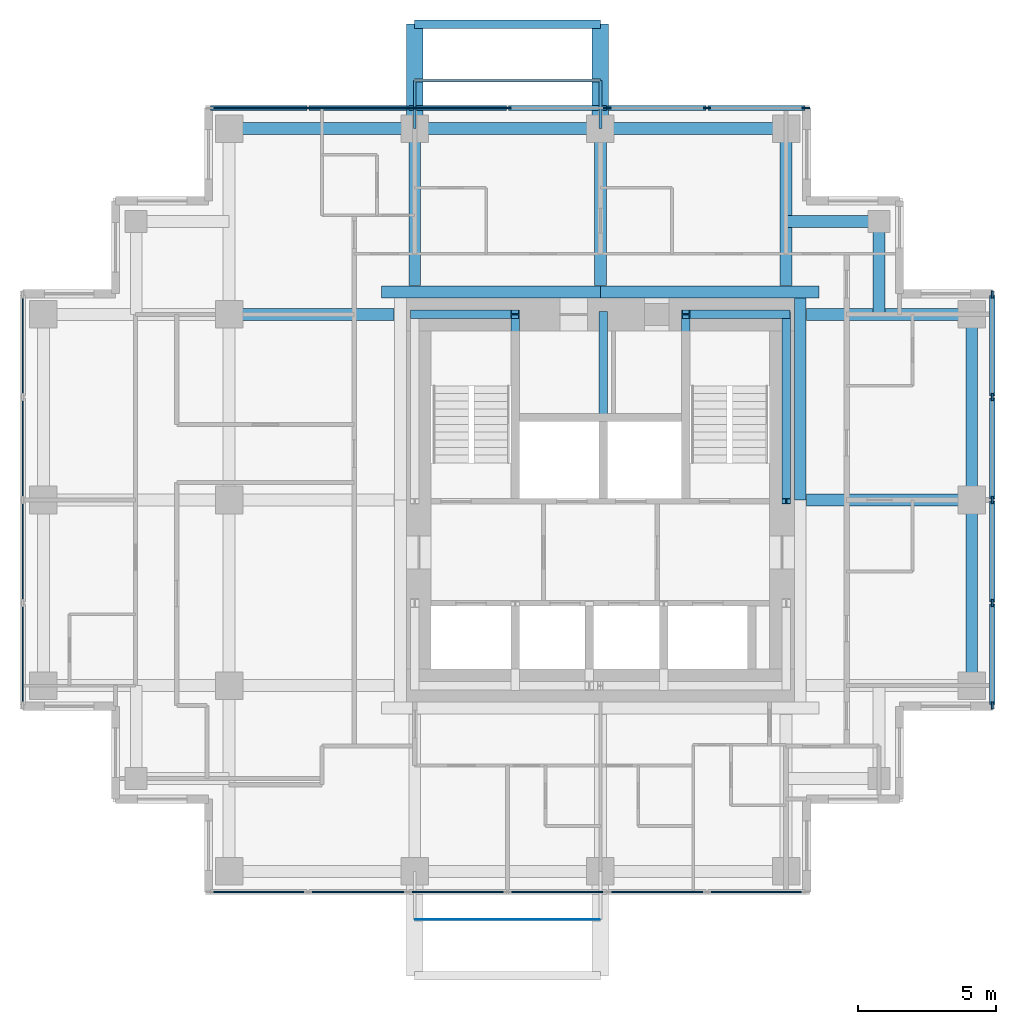
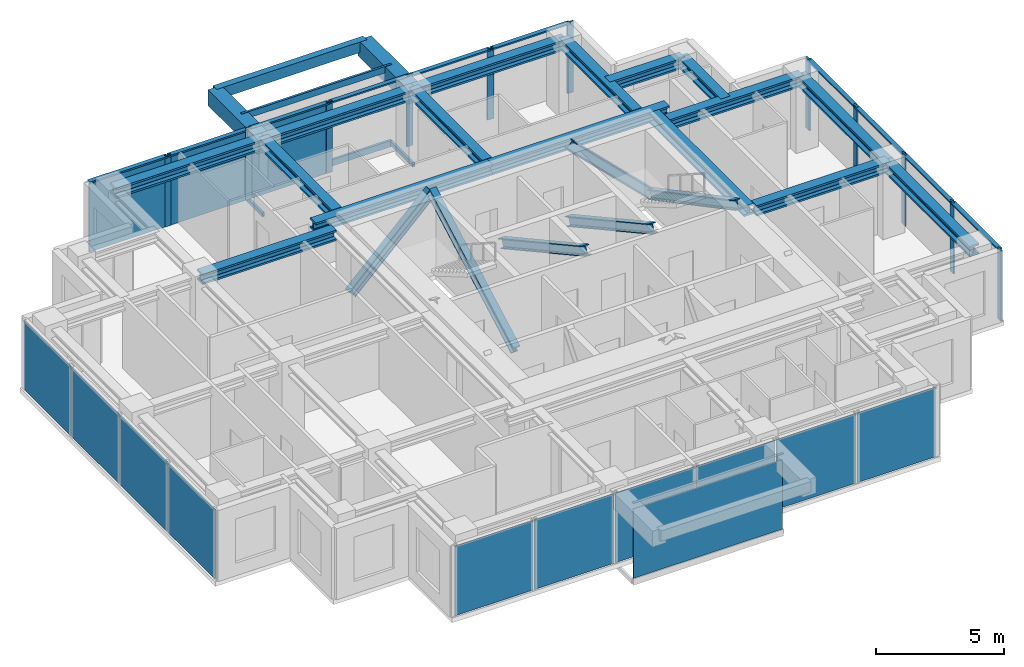
# One storey, part 2 of 7: 31 members, 19 beams, 14 plates, 4 elements without a shape of their own.
"""IFC4 building model written with IfcOpenShell, lengths in metres."""

from ifc_helpers import new_model, si_unit, direction, frame, origin, origin_2d, place, context, subcontext, project, spatial, rectangle, hollow_rectangle, i_section, extrude, material, layer, layer_set, material_profile, profile_set, type_object, element, aggregate, save


model = new_model("IFC4")

# Units and contexts
model_context = context("Model", 3, precision=1e-05, world=origin(), true_north=direction((0.0, 1.0)))
body_context = subcontext(model_context, "Body", "Model", "MODEL_VIEW")
ifc_project = project(units=[si_unit("LENGTHUNIT", "METRE"), si_unit("AREAUNIT", "SQUARE_METRE"), si_unit("VOLUMEUNIT", "CUBIC_METRE"), si_unit("PLANEANGLEUNIT", "RADIAN"), si_unit("MASSUNIT", "GRAM", prefix="KILO")], contexts=[model_context])

# Site, building, storey
site_placement = place(None, origin())
site = spatial("IfcSite", under=ifc_project, at=site_placement, CompositionType="ELEMENT")
building_placement = place(site_placement, origin())
building = spatial("IfcBuilding", under=site, at=building_placement, Name="Nyansa Garden Tower", CompositionType="ELEMENT")
storey_placement = place(building_placement, frame((0.0, 0.0, 236.699951171875)))
storey = spatial("IfcBuildingStorey", under=building, at=storey_placement, Name="L64", CompositionType="ELEMENT", Elevation=236.699951171875)

# Beams
ifc_material_1 = material(Name="Concrete C70/85", Category="concrete")
ifc_material_profile_1 = material_profile(ifc_material_1, rectangle(XDim=0.60009765625, YDim=0.75, at=origin_2d()), Name="RC 600x750")
ifc_profile_set_1 = profile_set([ifc_material_profile_1], Name="Concrete C70/85")
beam_type_1 = type_object("IfcBeamType", Name="Balcony cantilever beam CB1 RC 600x750", PredefinedType="BEAM", material=ifc_profile_set_1)
for number, where, z_axis, x_axis, name in (
    (1, (13.5, 33.75, 2.985107421875), (0.0, 1.0, 0.0), (-1.0, 0.0, 0.0), "Balcony cantilever beam L65"),
    (2, (20.25, 33.75, 2.985107421875), (0.0, 1.0, 0.0), (-1.0, 0.0, 0.0), "Balcony cantilever beam L65"),
):
    element("IfcBeam", number, at=place(storey_placement, frame(where, z_axis=z_axis, x_axis=x_axis)), inside=storey, type_object=beam_type_1, Name=name, PredefinedType="BEAM", context=body_context, shape_type="SweptSolid", body=[
        extrude(rectangle(XDim=0.60009765625, YDim=0.75, at=origin_2d()), origin(), (0.0, 0.0, 1.0), 3.800048828125),
    ])
ifc_material_2 = material(Name="Concrete C70/85", Category="concrete")
ifc_material_profile_2 = material_profile(ifc_material_2, rectangle(XDim=0.300048828125, YDim=0.5, at=origin_2d()), Name="RC 300x500")
ifc_profile_set_2 = profile_set([ifc_material_profile_2], Name="Concrete C70/85")
beam_type_2 = type_object("IfcBeamType", Name="Balcony edge beam BE1 RC 300x500", PredefinedType="BEAM", material=ifc_profile_set_2)
beam_1_placement = place(storey_placement, frame((13.5, 37.550048828125, 3.110107421875), z_axis=(1.0, 0.0, 0.0), x_axis=(0.0, 1.0, 0.0)))
element("IfcBeam", 3, at=beam_1_placement, inside=storey, type_object=beam_type_2, Name="Balcony edge beam L65", PredefinedType="BEAM", context=body_context, shape_type="SweptSolid", body=[
    extrude(rectangle(XDim=0.300048828125, YDim=0.5, at=origin_2d()), origin(), (0.0, 0.0, 1.0), 6.75),
])

# Curtain wall, members
ifc_material_3 = material(Name="Black anodised aluminium, dark tinted double glazing", Category="aluminium")
curtain_wall_type = type_object("IfcCurtainWallType", Name="Inner skin curtain wall ISW-D", PredefinedType="USERDEFINED", material=ifc_material_3)
curtain_wall_1_placement = place(storey_placement, origin())
curtain_wall_1 = element("IfcCurtainWall", 4, at=curtain_wall_1_placement, inside=storey, type_object=curtain_wall_type, Name="Inner skin curtain wall L64 E", ObjectType="UNITISED CURTAIN WALL", PredefinedType="USERDEFINED")
ifc_material_4 = material(Name="Black anodised aluminium", Category="aluminium")
ifc_material_profile_3 = material_profile(ifc_material_4, rectangle(XDim=0.070068359375, YDim=0.27490234375, at=origin_2d()), Name="Mullion 275x70")
ifc_profile_set_3 = profile_set([ifc_material_profile_3], Name="Black anodised aluminium")
member_type_1 = type_object("IfcMemberType", Name="Mullion ISW-D 275x70", PredefinedType="MULLION", material=ifc_profile_set_3)
member_1_placement = place(storey_placement, frame((34.5, 12.784912109375, 0.0), z_axis=(0.0, 0.0, 1.0), x_axis=(-1.0, 0.0, 0.0)))
member_1 = element("IfcMember", 5, at=member_1_placement, type_object=member_type_1, Name="ISW-D mullion 1", PredefinedType="MULLION", context=body_context, shape_type="SweptSolid", body=[
    extrude(rectangle(XDim=0.070068359375, YDim=0.27490234375, at=origin_2d()), origin(), (0.0, 0.0, 1.0), 3.375),
])
member_2_placement = place(storey_placement, frame((34.5, 16.5, 0.0), z_axis=(0.0, 0.0, 1.0), x_axis=(-1.0, 0.0, 0.0)))
member_2 = element("IfcMember", 6, at=member_2_placement, type_object=member_type_1, Name="ISW-D mullion 2", PredefinedType="MULLION", context=body_context, shape_type="SweptSolid", body=[
    extrude(rectangle(XDim=0.070068359375, YDim=0.27490234375, at=origin_2d()), origin(), (0.0, 0.0, 1.0), 3.375),
])
member_3_placement = place(storey_placement, frame((34.5, 20.25, 0.0), z_axis=(0.0, 0.0, 1.0), x_axis=(-1.0, 0.0, 0.0)))
member_3 = element("IfcMember", 7, at=member_3_placement, type_object=member_type_1, Name="ISW-D mullion 3", PredefinedType="MULLION", context=body_context, shape_type="SweptSolid", body=[
    extrude(rectangle(XDim=0.070068359375, YDim=0.27490234375, at=origin_2d()), origin(), (0.0, 0.0, 1.0), 3.375),
])
member_4_placement = place(storey_placement, frame((34.5, 24.0, 0.0), z_axis=(0.0, 0.0, 1.0), x_axis=(-1.0, 0.0, 0.0)))
member_4 = element("IfcMember", 8, at=member_4_placement, type_object=member_type_1, Name="ISW-D mullion 4", PredefinedType="MULLION", context=body_context, shape_type="SweptSolid", body=[
    extrude(rectangle(XDim=0.070068359375, YDim=0.27490234375, at=origin_2d()), origin(), (0.0, 0.0, 1.0), 3.375),
])
member_5_placement = place(storey_placement, frame((34.5, 27.715087890625, 0.0), z_axis=(0.0, 0.0, 1.0), x_axis=(-1.0, 0.0, 0.0)))
member_5 = element("IfcMember", 9, at=member_5_placement, type_object=member_type_1, Name="ISW-D mullion 5", PredefinedType="MULLION", context=body_context, shape_type="SweptSolid", body=[
    extrude(rectangle(XDim=0.070068359375, YDim=0.27490234375, at=origin_2d()), origin(), (0.0, 0.0, 1.0), 3.375),
])

curtain_wall_2_placement = place(storey_placement, origin())
curtain_wall_2 = element("IfcCurtainWall", 10, at=curtain_wall_2_placement, inside=storey, type_object=curtain_wall_type, Name="Inner skin curtain wall L64 N", ObjectType="UNITISED CURTAIN WALL", PredefinedType="USERDEFINED")
member_6_placement = place(storey_placement, frame((27.715087890625, 34.5, 0.0), z_axis=(0.0, 0.0, 1.0), x_axis=(0.0, -1.0, 0.0)))
member_6 = element("IfcMember", 11, at=member_6_placement, type_object=member_type_1, Name="ISW-D mullion 1", PredefinedType="MULLION", context=body_context, shape_type="SweptSolid", body=[
    extrude(rectangle(XDim=0.070068359375, YDim=0.27490234375, at=origin_2d()), origin(), (0.0, 0.0, 1.0), 3.375),
])
member_7_placement = place(storey_placement, frame((24.125, 34.5, 0.0), z_axis=(0.0, 0.0, 1.0), x_axis=(0.0, -1.0, 0.0)))
member_7 = element("IfcMember", 12, at=member_7_placement, type_object=member_type_1, Name="ISW-D mullion 2", PredefinedType="MULLION", context=body_context, shape_type="SweptSolid", body=[
    extrude(rectangle(XDim=0.070068359375, YDim=0.27490234375, at=origin_2d()), origin(), (0.0, 0.0, 1.0), 3.375),
])
member_8_placement = place(storey_placement, frame((20.5, 34.5, 0.0), z_axis=(0.0, 0.0, 1.0), x_axis=(0.0, -1.0, 0.0)))
member_8 = element("IfcMember", 13, at=member_8_placement, type_object=member_type_1, Name="ISW-D mullion 3", PredefinedType="MULLION", context=body_context, shape_type="SweptSolid", body=[
    extrude(rectangle(XDim=0.070068359375, YDim=0.27490234375, at=origin_2d()), origin(), (0.0, 0.0, 1.0), 3.375),
])
member_9_placement = place(storey_placement, frame((16.875, 34.5, 0.0), z_axis=(0.0, 0.0, 1.0), x_axis=(0.0, -1.0, 0.0)))
member_9 = element("IfcMember", 14, at=member_9_placement, type_object=member_type_1, Name="ISW-D mullion 4", PredefinedType="MULLION", context=body_context, shape_type="SweptSolid", body=[
    extrude(rectangle(XDim=0.070068359375, YDim=0.27490234375, at=origin_2d()), origin(), (0.0, 0.0, 1.0), 3.375),
])
member_10_placement = place(storey_placement, frame((13.25, 34.5, 0.0), z_axis=(0.0, 0.0, 1.0), x_axis=(0.0, -1.0, 0.0)))
member_10 = element("IfcMember", 15, at=member_10_placement, type_object=member_type_1, Name="ISW-D mullion 5", PredefinedType="MULLION", context=body_context, shape_type="SweptSolid", body=[
    extrude(rectangle(XDim=0.070068359375, YDim=0.27490234375, at=origin_2d()), origin(), (0.0, 0.0, 1.0), 3.375),
])
member_11_placement = place(storey_placement, frame((9.625, 34.5, 0.0), z_axis=(0.0, 0.0, 1.0), x_axis=(0.0, -1.0, 0.0)))
member_11 = element("IfcMember", 16, at=member_11_placement, type_object=member_type_1, Name="ISW-D mullion 6", PredefinedType="MULLION", context=body_context, shape_type="SweptSolid", body=[
    extrude(rectangle(XDim=0.070068359375, YDim=0.27490234375, at=origin_2d()), origin(), (0.0, 0.0, 1.0), 3.375),
])

# Members
ifc_material_5 = material(Name="Steel S355, black powder coated", Category="steel")
ifc_material_profile_4 = material_profile(ifc_material_5, hollow_rectangle(XDim=0.10009765625, YDim=0.199951171875, WallThickness=0.008056640625, at=origin_2d()), Name="RHS 200x100x8")
ifc_profile_set_4 = profile_set([ifc_material_profile_4], Name="Steel S355, black powder coated")
member_type_2 = type_object("IfcMemberType", Name="Outer skin bracket arm RHS 200x100x8", PredefinedType="USERDEFINED", material=ifc_profile_set_4)
for number, where, z_axis, x_axis, name in (
    (17, (13.5, 33.75, -0.375), (0.0, 1.0, 0.0), (-1.0, 0.0, 0.0), "Outer skin bracket arm"),
    (18, (20.25, 33.75, -0.375), (0.0, 1.0, 0.0), (-1.0, 0.0, 0.0), "Outer skin bracket arm"),
):
    element("IfcMember", number, at=place(storey_placement, frame(where, z_axis=z_axis, x_axis=x_axis)), inside=storey, type_object=member_type_2, Name=name, ObjectType="OUTER SKIN BRACKET", PredefinedType="USERDEFINED", context=body_context, shape_type="SweptSolid", body=[
        extrude(hollow_rectangle(XDim=0.10009765625, YDim=0.199951171875, WallThickness=0.008056640625, at=origin_2d()), origin(), (0.0, 0.0, 1.0), 1.75),
    ])
ifc_material_6 = material(Name="Steel S355, black powder coated", Category="steel")
ifc_material_profile_5 = material_profile(ifc_material_6, hollow_rectangle(XDim=0.10009765625, YDim=0.300048828125, WallThickness=0.010009765625, at=origin_2d()), Name="RHS 300x100x10")
ifc_profile_set_5 = profile_set([ifc_material_profile_5], Name="Steel S355, black powder coated")
member_type_3 = type_object("IfcMemberType", Name="Outer skin rail RHS 300x100x10", PredefinedType="USERDEFINED", material=ifc_profile_set_5)
for number, where, z_axis, x_axis, name in (
    (19, (13.5, 35.5, -0.375), (1.0, 0.0, 0.0), (0.0, 1.0, 0.0), "Outer skin rail L64"),
    (20, (13.5, 35.5, 3.22509765625), (1.0, 0.0, 0.0), (0.0, 1.0, 0.0), "Outer skin rail L64 head"),
):
    element("IfcMember", number, at=place(storey_placement, frame(where, z_axis=z_axis, x_axis=x_axis)), inside=storey, type_object=member_type_3, Name=name, ObjectType="OUTER SKIN RAIL", PredefinedType="USERDEFINED", context=body_context, shape_type="SweptSolid", body=[
        extrude(hollow_rectangle(XDim=0.10009765625, YDim=0.300048828125, WallThickness=0.010009765625, at=origin_2d()), origin(), (0.0, 0.0, 1.0), 6.75),
    ])
ifc_material_7 = material(Name="Steel S355", Category="steel")
ifc_material_profile_6 = material_profile(ifc_material_7, i_section(OverallWidth=0.306884765625, OverallDepth=0.431884765625, WebThickness=0.02099609375, FlangeThickness=0.0400390625, FilletRadius=0.027099609375, at=origin_2d()), Name="HE 400 M")
ifc_profile_set_6 = profile_set([ifc_material_profile_6], Name="Steel S355")
member_type_4 = type_object("IfcMemberType", Name="Perimeter brace HE 400 M", PredefinedType="BRACE", material=ifc_profile_set_6)
for number, where, z_axis, x_axis, name in (
    (21, (13.5, 27.0, 0.0), (0.711947531702, 0.0, 0.702232662373), (0.0, 1.0, 0.0), "Core brace CN3 L64"),
    (22, (27.0, 27.0, 0.0), (-0.711947531702, 0.0, 0.702232662373), (0.0, -1.0, 0.0), "Core brace CN4 L64"),
):
    element("IfcMember", number, at=place(storey_placement, frame(where, z_axis=z_axis, x_axis=x_axis)), inside=storey, type_object=member_type_4, Name=name, PredefinedType="BRACE", context=body_context, shape_type="SweptSolid", body=[
        extrude(i_section(OverallWidth=0.306884765625, OverallDepth=0.431884765625, WebThickness=0.02099609375, FlangeThickness=0.0400390625, FilletRadius=0.027099609375, at=origin_2d()), origin(), (0.0, 0.0, 1.0), 5.126708984375),
    ])
member_12_placement = place(storey_placement, frame((27.0, 27.0, 0.0), z_axis=(0.0, -0.883784057226, 0.467895009796), x_axis=(1.0, 0.0, 0.0)))
element("IfcMember", 23, at=member_12_placement, inside=storey, type_object=member_type_4, Name="Core brace CE8 L64", PredefinedType="BRACE", context=body_context, shape_type="SweptSolid", body=[
    extrude(i_section(OverallWidth=0.306884765625, OverallDepth=0.431884765625, WebThickness=0.02099609375, FlangeThickness=0.0400390625, FilletRadius=0.027099609375, at=origin_2d()), origin(), (0.0, 0.0, 1.0), 7.6943359375),
])
for number, where, z_axis, x_axis, name in (
    (24, (17.14990234375, 20.449951171875, 0.0), (0.0, 0.876353113771, 0.481669201822), (-1.0, 0.0, 0.0), "Core brace CWS9 L64"),
    (25, (23.35009765625, 27.0, 0.0), (0.0, -0.876353113771, 0.481669201822), (1.0, 0.0, 0.0), "Core brace CES10 L64"),
    (26, (20.35009765625, 27.0, 0.0), (0.0, -0.876353113771, 0.481669201822), (1.0, 0.0, 0.0), "Core brace CNW14 L64"),
):
    element("IfcMember", number, at=place(storey_placement, frame(where, z_axis=z_axis, x_axis=x_axis)), inside=storey, type_object=member_type_4, Name=name, PredefinedType="BRACE", context=body_context, shape_type="SweptSolid", body=[
        extrude(i_section(OverallWidth=0.306884765625, OverallDepth=0.431884765625, WebThickness=0.02099609375, FlangeThickness=0.0400390625, FilletRadius=0.027099609375, at=origin_2d()), origin(), (0.0, 0.0, 1.0), 7.47412109375),
    ])

# Beams
ifc_material_8 = material(Name="Steel S355", Category="steel")
ifc_material_profile_7 = material_profile(ifc_material_8, i_section(OverallWidth=0.431884765625, OverallDepth=0.498046875, WebThickness=0.0556640625, FlangeThickness=0.0888671875, FilletRadius=0.014892578125, at=origin_2d()), Name="HD 400x744")
ifc_profile_set_7 = profile_set([ifc_material_profile_7], Name="Steel S355")
beam_type_3 = type_object("IfcBeamType", Name="Steel beam SBD1-744 HD 400x744", PredefinedType="BEAM", material=ifc_profile_set_7)
beam_2_placement = place(storey_placement, frame((6.75, 27.0, 3.1259765625), z_axis=(1.0, 0.0, 0.0), x_axis=(0.0, 1.0, 0.0)))
element("IfcBeam", 27, at=beam_2_placement, inside=storey, type_object=beam_type_3, Name="Steel beam 3/H-12.750/H L65", PredefinedType="BEAM", context=body_context, shape_type="SweptSolid", body=[
    extrude(i_section(OverallWidth=0.431884765625, OverallDepth=0.498046875, WebThickness=0.0556640625, FlangeThickness=0.0888671875, FilletRadius=0.014892578125, at=origin_2d()), origin(), (0.0, 0.0, 1.0), 6.0),
])
for number, where, z_axis, x_axis, name in (
    (28, (13.5, 28.050048828125, 3.1259765625), (0.0, 1.0, 0.0), (-1.0, 0.0, 0.0), "Steel beam 4/28.050-4/J L65"),
    (29, (20.25, 28.050048828125, 3.1259765625), (0.0, 1.0, 0.0), (-1.0, 0.0, 0.0), "Steel beam 5/28.050-5/J L65"),
):
    element("IfcBeam", number, at=place(storey_placement, frame(where, z_axis=z_axis, x_axis=x_axis)), inside=storey, type_object=beam_type_3, Name=name, PredefinedType="BEAM", context=body_context, shape_type="SweptSolid", body=[
        extrude(i_section(OverallWidth=0.431884765625, OverallDepth=0.498046875, WebThickness=0.0556640625, FlangeThickness=0.0888671875, FilletRadius=0.014892578125, at=origin_2d()), origin(), (0.0, 0.0, 1.0), 5.699951171875),
    ])
beam_3_placement = place(storey_placement, frame((27.75, 20.25, 3.1259765625), z_axis=(1.0, 0.0, 0.0), x_axis=(0.0, 1.0, 0.0)))
element("IfcBeam", 30, at=beam_3_placement, inside=storey, type_object=beam_type_3, Name="Steel beam 27.750/G-7/G L65", PredefinedType="BEAM", context=body_context, shape_type="SweptSolid", body=[
    extrude(i_section(OverallWidth=0.431884765625, OverallDepth=0.498046875, WebThickness=0.0556640625, FlangeThickness=0.0888671875, FilletRadius=0.014892578125, at=origin_2d()), origin(), (0.0, 0.0, 1.0), 6.0),
])
beam_4_placement = place(storey_placement, frame((27.0, 28.050048828125, 3.1259765625), z_axis=(0.0, 1.0, 0.0), x_axis=(-1.0, 0.0, 0.0)))
element("IfcBeam", 31, at=beam_4_placement, inside=storey, type_object=beam_type_3, Name="Steel beam 6/28.050-6/J L65", PredefinedType="BEAM", context=body_context, shape_type="SweptSolid", body=[
    extrude(i_section(OverallWidth=0.431884765625, OverallDepth=0.498046875, WebThickness=0.0556640625, FlangeThickness=0.0888671875, FilletRadius=0.014892578125, at=origin_2d()), origin(), (0.0, 0.0, 1.0), 5.699951171875),
])
beam_5_placement = place(storey_placement, frame((27.75, 27.0, 3.1259765625), z_axis=(1.0, 0.0, 0.0), x_axis=(0.0, 1.0, 0.0)))
element("IfcBeam", 32, at=beam_5_placement, inside=storey, type_object=beam_type_3, Name="Steel beam 27.750/H-7/H L65", PredefinedType="BEAM", context=body_context, shape_type="SweptSolid", body=[
    extrude(i_section(OverallWidth=0.431884765625, OverallDepth=0.498046875, WebThickness=0.0556640625, FlangeThickness=0.0888671875, FilletRadius=0.014892578125, at=origin_2d()), origin(), (0.0, 0.0, 1.0), 6.0),
])
ifc_material_9 = material(Name="Steel S355", Category="steel")
ifc_material_profile_8 = material_profile(ifc_material_9, i_section(OverallWidth=0.431884765625, OverallDepth=0.498046875, WebThickness=0.0556640625, FlangeThickness=0.0888671875, FilletRadius=0.014892578125, at=origin_2d()), Name="HD 400x744")
ifc_profile_set_8 = profile_set([ifc_material_profile_8], Name="Steel S355")
beam_type_4 = type_object("IfcBeamType", Name="Steel beam SEBD-744 HD 400x744", PredefinedType="BEAM", material=ifc_profile_set_8)
for number, where, z_axis, x_axis, name in (
    (33, (6.75, 33.75, 3.1259765625), (1.0, 0.0, 0.0), (0.0, 1.0, 0.0), "Steel edge beam 3/J-4/J L65"),
    (34, (13.5, 33.75, 3.1259765625), (1.0, 0.0, 0.0), (0.0, 1.0, 0.0), "Steel edge beam 4/J-5/J L65"),
    (35, (20.25, 33.75, 3.1259765625), (1.0, 0.0, 0.0), (0.0, 1.0, 0.0), "Steel edge beam 5/J-6/J L65"),
    (36, (33.75, 13.5, 3.1259765625), (0.0, 1.0, 0.0), (-1.0, 0.0, 0.0), "Steel edge beam 7/F-7/G L65"),
    (37, (33.75, 20.25, 3.1259765625), (0.0, 1.0, 0.0), (-1.0, 0.0, 0.0), "Steel edge beam 7/G-7/H L65"),
):
    element("IfcBeam", number, at=place(storey_placement, frame(where, z_axis=z_axis, x_axis=x_axis)), inside=storey, type_object=beam_type_4, Name=name, PredefinedType="BEAM", context=body_context, shape_type="SweptSolid", body=[
        extrude(i_section(OverallWidth=0.431884765625, OverallDepth=0.498046875, WebThickness=0.0556640625, FlangeThickness=0.0888671875, FilletRadius=0.014892578125, at=origin_2d()), origin(), (0.0, 0.0, 1.0), 6.75),
    ])
ifc_material_10 = material(Name="Steel S355", Category="steel")
ifc_material_profile_9 = material_profile(ifc_material_10, i_section(OverallWidth=0.431884765625, OverallDepth=0.498046875, WebThickness=0.0556640625, FlangeThickness=0.0888671875, FilletRadius=0.014892578125, at=origin_2d()), Name="HD 400x744")
ifc_profile_set_9 = profile_set([ifc_material_profile_9], Name="Steel S355")
beam_type_5 = type_object("IfcBeamType", Name="Steel beam SLB1-744 HD 400x744", PredefinedType="BEAM", material=ifc_profile_set_9)
beam_6_placement = place(storey_placement, frame((27.51611328125, 20.25, 3.1259765625), z_axis=(0.0, 1.0, 0.0), x_axis=(-1.0, 0.0, 0.0)))
element("IfcBeam", 38, at=beam_6_placement, inside=storey, type_object=beam_type_5, Name="Steel core ledger beam E.2 L65", PredefinedType="BEAM", context=body_context, shape_type="SweptSolid", body=[
    extrude(i_section(OverallWidth=0.431884765625, OverallDepth=0.498046875, WebThickness=0.0556640625, FlangeThickness=0.0888671875, FilletRadius=0.014892578125, at=origin_2d()), origin(), (0.0, 0.0, 1.0), 7.35009765625),
])
for number, where, z_axis, x_axis, name in (
    (39, (28.199951171875, 27.81591796875, 3.1259765625), (-1.0, 0.0, 0.0), (0.0, -1.0, 0.0), "Steel core ledger beam N.1 L65"),
    (40, (20.25, 27.81591796875, 3.1259765625), (-1.0, 0.0, 0.0), (0.0, -1.0, 0.0), "Steel core ledger beam N.2 L65"),
):
    element("IfcBeam", number, at=place(storey_placement, frame(where, z_axis=z_axis, x_axis=x_axis)), inside=storey, type_object=beam_type_5, Name=name, PredefinedType="BEAM", context=body_context, shape_type="SweptSolid", body=[
        extrude(i_section(OverallWidth=0.431884765625, OverallDepth=0.498046875, WebThickness=0.0556640625, FlangeThickness=0.0888671875, FilletRadius=0.014892578125, at=origin_2d()), origin(), (0.0, 0.0, 1.0), 7.949951171875),
    ])
ifc_material_11 = material(Name="Steel S355", Category="steel")
ifc_material_profile_10 = material_profile(ifc_material_11, i_section(OverallWidth=0.431884765625, OverallDepth=0.498046875, WebThickness=0.0556640625, FlangeThickness=0.0888671875, FilletRadius=0.014892578125, at=origin_2d()), Name="HD 400x744")
ifc_profile_set_10 = profile_set([ifc_material_profile_10], Name="Steel S355")
beam_type_6 = type_object("IfcBeamType", Name="Steel beam SSB1-744 HD 400x744", PredefinedType="BEAM", material=ifc_profile_set_10)
for number, where, z_axis, x_axis, name in (
    (41, (30.375, 30.375, 3.1259765625), (0.0, -1.0, 0.0), (1.0, 0.0, 0.0), "Steel step beam 30.375/30.375 L65"),
    (42, (30.375, 30.375, 3.1259765625), (-1.0, 0.0, 0.0), (0.0, -1.0, 0.0), "Steel step beam 30.375/30.375 L65"),
):
    element("IfcBeam", number, at=place(storey_placement, frame(where, z_axis=z_axis, x_axis=x_axis)), inside=storey, type_object=beam_type_6, Name=name, PredefinedType="BEAM", context=body_context, shape_type="SweptSolid", body=[
        extrude(i_section(OverallWidth=0.431884765625, OverallDepth=0.498046875, WebThickness=0.0556640625, FlangeThickness=0.0888671875, FilletRadius=0.014892578125, at=origin_2d()), origin(), (0.0, 0.0, 1.0), 3.375),
    ])

# Member
ifc_material_12 = material(Name="Black anodised aluminium", Category="aluminium")
ifc_material_profile_11 = material_profile(ifc_material_12, rectangle(XDim=0.195068359375, YDim=0.070068359375, at=origin_2d()), Name="Transom 195x70")
ifc_profile_set_11 = profile_set([ifc_material_profile_11], Name="Black anodised aluminium")
member_type_5 = type_object("IfcMemberType", Name="Transom ISW-D 195x70", PredefinedType="USERDEFINED", material=ifc_profile_set_11)
member_13_placement = place(storey_placement, frame((34.5, 12.820068359375, 3.340087890625), z_axis=(0.0, 1.0, 0.0), x_axis=(-1.0, 0.0, 0.0)))
member_13 = element("IfcMember", 43, at=member_13_placement, type_object=member_type_5, Name="ISW-D transom 1", ObjectType="TRANSOM", PredefinedType="USERDEFINED", context=body_context, shape_type="SweptSolid", body=[
    extrude(rectangle(XDim=0.195068359375, YDim=0.070068359375, at=origin_2d()), origin(), (0.0, 0.0, 1.0), 3.64501953125),
])

member_14_placement = place(storey_placement, frame((34.5, 16.534912109375, 3.340087890625), z_axis=(0.0, 1.0, 0.0), x_axis=(-1.0, 0.0, 0.0)))
member_14 = element("IfcMember", 44, at=member_14_placement, type_object=member_type_5, Name="ISW-D transom 2", ObjectType="TRANSOM", PredefinedType="USERDEFINED", context=body_context, shape_type="SweptSolid", body=[
    extrude(rectangle(XDim=0.195068359375, YDim=0.070068359375, at=origin_2d()), origin(), (0.0, 0.0, 1.0), 3.68017578125),
])

member_15_placement = place(storey_placement, frame((34.5, 20.284912109375, 3.340087890625), z_axis=(0.0, 1.0, 0.0), x_axis=(-1.0, 0.0, 0.0)))
member_15 = element("IfcMember", 45, at=member_15_placement, type_object=member_type_5, Name="ISW-D transom 3", ObjectType="TRANSOM", PredefinedType="USERDEFINED", context=body_context, shape_type="SweptSolid", body=[
    extrude(rectangle(XDim=0.195068359375, YDim=0.070068359375, at=origin_2d()), origin(), (0.0, 0.0, 1.0), 3.68017578125),
])

member_16_placement = place(storey_placement, frame((34.5, 24.034912109375, 3.340087890625), z_axis=(0.0, 1.0, 0.0), x_axis=(-1.0, 0.0, 0.0)))
member_16 = element("IfcMember", 46, at=member_16_placement, type_object=member_type_5, Name="ISW-D transom 4", ObjectType="TRANSOM", PredefinedType="USERDEFINED", context=body_context, shape_type="SweptSolid", body=[
    extrude(rectangle(XDim=0.195068359375, YDim=0.070068359375, at=origin_2d()), origin(), (0.0, 0.0, 1.0), 3.64501953125),
])

aggregate(curtain_wall_1, [member_1, member_2, member_3, member_4, member_5, member_13, member_14, member_15, member_16])

member_17_placement = place(storey_placement, frame((27.679931640625, 34.5, 3.340087890625), z_axis=(-1.0, 0.0, 0.0), x_axis=(0.0, -1.0, 0.0)))
member_17 = element("IfcMember", 47, at=member_17_placement, type_object=member_type_5, Name="ISW-D transom 1", ObjectType="TRANSOM", PredefinedType="USERDEFINED", context=body_context, shape_type="SweptSolid", body=[
    extrude(rectangle(XDim=0.195068359375, YDim=0.070068359375, at=origin_2d()), origin(), (0.0, 0.0, 1.0), 3.52001953125),
])

member_18_placement = place(storey_placement, frame((24.090087890625, 34.5, 3.340087890625), z_axis=(-1.0, 0.0, 0.0), x_axis=(0.0, -1.0, 0.0)))
member_18 = element("IfcMember", 48, at=member_18_placement, type_object=member_type_5, Name="ISW-D transom 2", ObjectType="TRANSOM", PredefinedType="USERDEFINED", context=body_context, shape_type="SweptSolid", body=[
    extrude(rectangle(XDim=0.195068359375, YDim=0.070068359375, at=origin_2d()), origin(), (0.0, 0.0, 1.0), 3.55517578125),
])

member_19_placement = place(storey_placement, frame((20.465087890625, 34.5, 3.340087890625), z_axis=(-1.0, 0.0, 0.0), x_axis=(0.0, -1.0, 0.0)))
member_19 = element("IfcMember", 49, at=member_19_placement, type_object=member_type_5, Name="ISW-D transom 3", ObjectType="TRANSOM", PredefinedType="USERDEFINED", context=body_context, shape_type="SweptSolid", body=[
    extrude(rectangle(XDim=0.195068359375, YDim=0.070068359375, at=origin_2d()), origin(), (0.0, 0.0, 1.0), 3.55517578125),
])

member_20_placement = place(storey_placement, frame((16.840087890625, 34.5, 3.340087890625), z_axis=(-1.0, 0.0, 0.0), x_axis=(0.0, -1.0, 0.0)))
member_20 = element("IfcMember", 50, at=member_20_placement, type_object=member_type_5, Name="ISW-D transom 4", ObjectType="TRANSOM", PredefinedType="USERDEFINED", context=body_context, shape_type="SweptSolid", body=[
    extrude(rectangle(XDim=0.195068359375, YDim=0.070068359375, at=origin_2d()), origin(), (0.0, 0.0, 1.0), 3.55517578125),
])

member_21_placement = place(storey_placement, frame((13.215087890625, 34.5, 3.340087890625), z_axis=(-1.0, 0.0, 0.0), x_axis=(0.0, -1.0, 0.0)))
member_21 = element("IfcMember", 51, at=member_21_placement, type_object=member_type_5, Name="ISW-D transom 5", ObjectType="TRANSOM", PredefinedType="USERDEFINED", context=body_context, shape_type="SweptSolid", body=[
    extrude(rectangle(XDim=0.195068359375, YDim=0.070068359375, at=origin_2d()), origin(), (0.0, 0.0, 1.0), 3.55517578125),
])

member_22_placement = place(storey_placement, frame((9.590087890625, 34.5, 3.340087890625), z_axis=(-1.0, 0.0, 0.0), x_axis=(0.0, -1.0, 0.0)))
member_22 = element("IfcMember", 52, at=member_22_placement, type_object=member_type_5, Name="ISW-D transom 6", ObjectType="TRANSOM", PredefinedType="USERDEFINED", context=body_context, shape_type="SweptSolid", body=[
    extrude(rectangle(XDim=0.195068359375, YDim=0.070068359375, at=origin_2d()), origin(), (0.0, 0.0, 1.0), 3.52001953125),
])

# Plate
ifc_material_13 = material(Name="Dark tinted laminated double glazing", Category="glass")
ifc_layer_1 = layer(ifc_material_13, 0.0439453125)
ifc_layer_set_1 = layer_set([ifc_layer_1], Name="Dark tinted vision panel VP-D")
plate_type_1 = type_object("IfcPlateType", Name="Dark tinted vision panel VP-D", PredefinedType="CURTAIN_PANEL", material=ifc_layer_set_1)
plate_1_placement = place(storey_placement, frame((15.0625, 34.5, 0.0), z_axis=(0.0, 0.0, 1.0), x_axis=(-1.0, 0.0, 0.0)))
plate_1 = element("IfcPlate", 53, at=plate_1_placement, type_object=plate_type_1, Name="ISW-D panel 4", PredefinedType="CURTAIN_PANEL", context=body_context, shape_type="SweptSolid", body=[
    extrude(rectangle(XDim=3.554931640625, YDim=0.0439453125, at=origin_2d()), origin(), (0.0, 0.0, 1.0), 3.304931640625),
])

plate_2_placement = place(storey_placement, frame((11.4375, 34.5, 0.0), z_axis=(0.0, 0.0, 1.0), x_axis=(-1.0, 0.0, 0.0)))
plate_2 = element("IfcPlate", 54, at=plate_2_placement, type_object=plate_type_1, Name="ISW-D panel 5", PredefinedType="CURTAIN_PANEL", context=body_context, shape_type="SweptSolid", body=[
    extrude(rectangle(XDim=3.554931640625, YDim=0.0439453125, at=origin_2d()), origin(), (0.0, 0.0, 1.0), 3.304931640625),
])

plate_3_placement = place(storey_placement, frame((7.830078125, 34.5, 0.0), z_axis=(0.0, 0.0, 1.0), x_axis=(-1.0, 0.0, 0.0)))
plate_3 = element("IfcPlate", 55, at=plate_3_placement, type_object=plate_type_1, Name="ISW-D panel 6", PredefinedType="CURTAIN_PANEL", context=body_context, shape_type="SweptSolid", body=[
    extrude(rectangle(XDim=3.52001953125, YDim=0.0439453125, at=origin_2d()), origin(), (0.0, 0.0, 1.0), 3.304931640625),
])

aggregate(curtain_wall_2, [member_6, member_7, member_8, member_9, member_10, member_11, member_17, member_18, member_19, member_20, plate_1, member_21, plate_2, member_22, plate_3])

# Curtain wall, plates
curtain_wall_3_placement = place(storey_placement, origin())
curtain_wall_3 = element("IfcCurtainWall", 56, at=curtain_wall_3_placement, inside=storey, type_object=curtain_wall_type, Name="Inner skin curtain wall L64 W", ObjectType="UNITISED CURTAIN WALL", PredefinedType="USERDEFINED")
plate_4_placement = place(storey_placement, frame((-0.75, 25.857421875, 0.0), z_axis=(0.0, 0.0, 1.0), x_axis=(0.0, -1.0, 0.0)))
plate_4 = element("IfcPlate", 57, at=plate_4_placement, type_object=plate_type_1, Name="ISW-D panel 1", PredefinedType="CURTAIN_PANEL", context=body_context, shape_type="SweptSolid", body=[
    extrude(rectangle(XDim=3.64501953125, YDim=0.0439453125, at=origin_2d()), origin(), (0.0, 0.0, 1.0), 3.304931640625),
])
plate_5_placement = place(storey_placement, frame((-0.75, 22.125, 0.0), z_axis=(0.0, 0.0, 1.0), x_axis=(0.0, -1.0, 0.0)))
plate_5 = element("IfcPlate", 58, at=plate_5_placement, type_object=plate_type_1, Name="ISW-D panel 2", PredefinedType="CURTAIN_PANEL", context=body_context, shape_type="SweptSolid", body=[
    extrude(rectangle(XDim=3.679931640625, YDim=0.0439453125, at=origin_2d()), origin(), (0.0, 0.0, 1.0), 3.304931640625),
])
plate_6_placement = place(storey_placement, frame((-0.75, 18.375, 0.0), z_axis=(0.0, 0.0, 1.0), x_axis=(0.0, -1.0, 0.0)))
plate_6 = element("IfcPlate", 59, at=plate_6_placement, type_object=plate_type_1, Name="ISW-D panel 3", PredefinedType="CURTAIN_PANEL", context=body_context, shape_type="SweptSolid", body=[
    extrude(rectangle(XDim=3.679931640625, YDim=0.0439453125, at=origin_2d()), origin(), (0.0, 0.0, 1.0), 3.304931640625),
])
plate_7_placement = place(storey_placement, frame((-0.75, 14.642578125, 0.0), z_axis=(0.0, 0.0, 1.0), x_axis=(0.0, -1.0, 0.0)))
plate_7 = element("IfcPlate", 60, at=plate_7_placement, type_object=plate_type_1, Name="ISW-D panel 4", PredefinedType="CURTAIN_PANEL", context=body_context, shape_type="SweptSolid", body=[
    extrude(rectangle(XDim=3.64501953125, YDim=0.0439453125, at=origin_2d()), origin(), (0.0, 0.0, 1.0), 3.304931640625),
])
aggregate(curtain_wall_3, [plate_4, plate_5, plate_6, plate_7])

curtain_wall_4_placement = place(storey_placement, origin())
curtain_wall_4 = element("IfcCurtainWall", 61, at=curtain_wall_4_placement, inside=storey, type_object=curtain_wall_type, Name="Inner skin curtain wall L64 S", ObjectType="UNITISED CURTAIN WALL", PredefinedType="USERDEFINED")
plate_8_placement = place(storey_placement, frame((7.830078125, 6.0, 0.0), z_axis=(0.0, 0.0, 1.0), x_axis=(1.0, 0.0, 0.0)))
plate_8 = element("IfcPlate", 62, at=plate_8_placement, type_object=plate_type_1, Name="ISW-D panel 1", PredefinedType="CURTAIN_PANEL", context=body_context, shape_type="SweptSolid", body=[
    extrude(rectangle(XDim=3.52001953125, YDim=0.0439453125, at=origin_2d()), origin(), (0.0, 0.0, 1.0), 3.304931640625),
])
plate_9_placement = place(storey_placement, frame((11.4375, 6.0, 0.0), z_axis=(0.0, 0.0, 1.0), x_axis=(1.0, 0.0, 0.0)))
plate_9 = element("IfcPlate", 63, at=plate_9_placement, type_object=plate_type_1, Name="ISW-D panel 2", PredefinedType="CURTAIN_PANEL", context=body_context, shape_type="SweptSolid", body=[
    extrude(rectangle(XDim=3.554931640625, YDim=0.0439453125, at=origin_2d()), origin(), (0.0, 0.0, 1.0), 3.304931640625),
])
plate_10_placement = place(storey_placement, frame((15.0625, 6.0, 0.0), z_axis=(0.0, 0.0, 1.0), x_axis=(1.0, 0.0, 0.0)))
plate_10 = element("IfcPlate", 64, at=plate_10_placement, type_object=plate_type_1, Name="ISW-D panel 3", PredefinedType="CURTAIN_PANEL", context=body_context, shape_type="SweptSolid", body=[
    extrude(rectangle(XDim=3.554931640625, YDim=0.0439453125, at=origin_2d()), origin(), (0.0, 0.0, 1.0), 3.304931640625),
])
plate_11_placement = place(storey_placement, frame((18.6875, 6.0, 0.0), z_axis=(0.0, 0.0, 1.0), x_axis=(1.0, 0.0, 0.0)))
plate_11 = element("IfcPlate", 65, at=plate_11_placement, type_object=plate_type_1, Name="ISW-D panel 4", PredefinedType="CURTAIN_PANEL", context=body_context, shape_type="SweptSolid", body=[
    extrude(rectangle(XDim=3.554931640625, YDim=0.0439453125, at=origin_2d()), origin(), (0.0, 0.0, 1.0), 3.304931640625),
])
plate_12_placement = place(storey_placement, frame((22.3125, 6.0, 0.0), z_axis=(0.0, 0.0, 1.0), x_axis=(1.0, 0.0, 0.0)))
plate_12 = element("IfcPlate", 66, at=plate_12_placement, type_object=plate_type_1, Name="ISW-D panel 5", PredefinedType="CURTAIN_PANEL", context=body_context, shape_type="SweptSolid", body=[
    extrude(rectangle(XDim=3.554931640625, YDim=0.0439453125, at=origin_2d()), origin(), (0.0, 0.0, 1.0), 3.304931640625),
])
plate_13_placement = place(storey_placement, frame((25.919921875, 6.0, 0.0), z_axis=(0.0, 0.0, 1.0), x_axis=(1.0, 0.0, 0.0)))
plate_13 = element("IfcPlate", 67, at=plate_13_placement, type_object=plate_type_1, Name="ISW-D panel 6", PredefinedType="CURTAIN_PANEL", context=body_context, shape_type="SweptSolid", body=[
    extrude(rectangle(XDim=3.52001953125, YDim=0.0439453125, at=origin_2d()), origin(), (0.0, 0.0, 1.0), 3.304931640625),
])
aggregate(curtain_wall_4, [plate_8, plate_9, plate_10, plate_11, plate_12, plate_13])

# Plate
ifc_material_14 = material(Name="Dark tinted laminated glass", Category="glass")
ifc_layer_2 = layer(ifc_material_14, 0.02392578125)
ifc_layer_set_2 = layer_set([ifc_layer_2], Name="Outer skin glass panel OS1")
plate_type_2 = type_object("IfcPlateType", Name="Outer skin glass panel OS1", PredefinedType="USERDEFINED", material=ifc_layer_set_2)
plate_14_placement = place(storey_placement, frame((16.875, 5.0, -0.22509765625), z_axis=(0.0, 0.0, 1.0), x_axis=(1.0, 0.0, 0.0)))
element("IfcPlate", 68, at=plate_14_placement, inside=storey, type_object=plate_type_2, Name="Outer skin glass panel L64", ObjectType="OUTER SKIN GLASS", PredefinedType="USERDEFINED", context=body_context, shape_type="SweptSolid", body=[
    extrude(rectangle(XDim=6.7099609375, YDim=0.02392578125, at=origin_2d()), origin(), (0.0, 0.0, 1.0), 3.300048828125),
])

save(model, "model.ifc")
